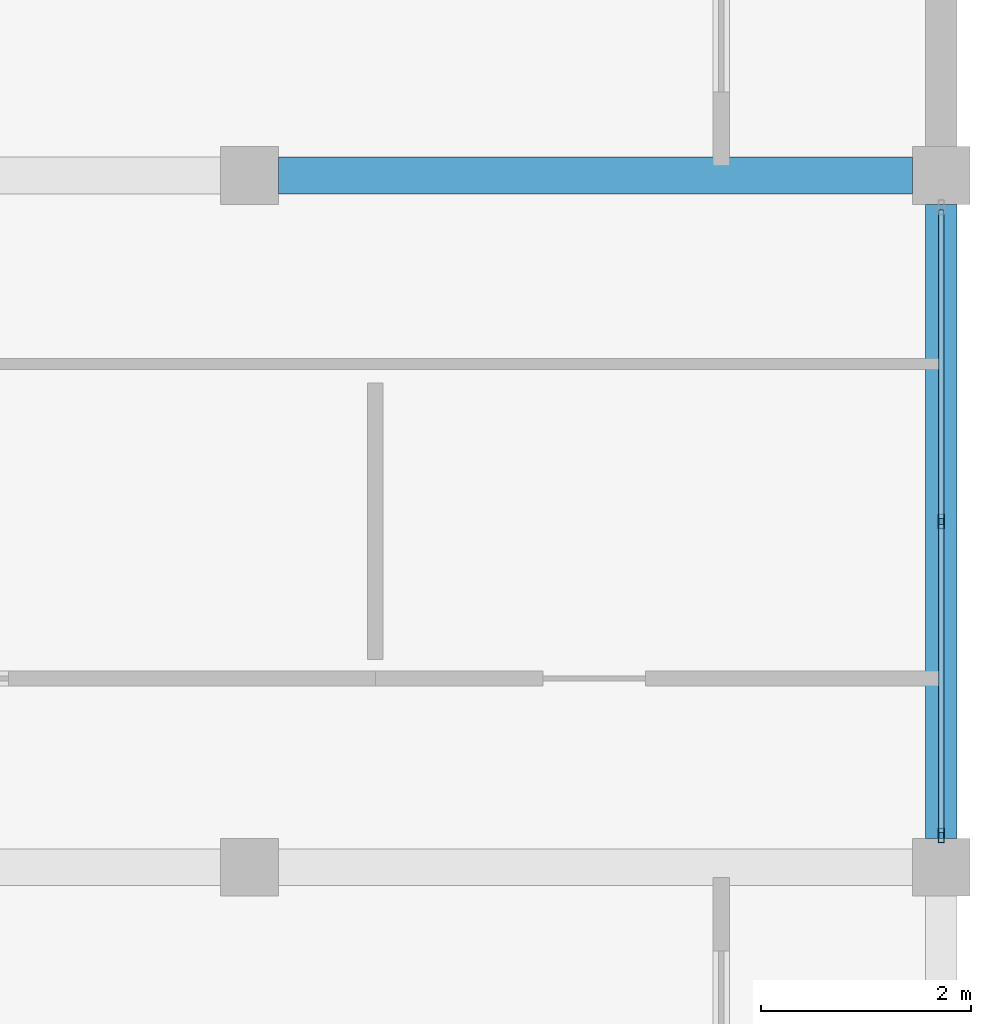
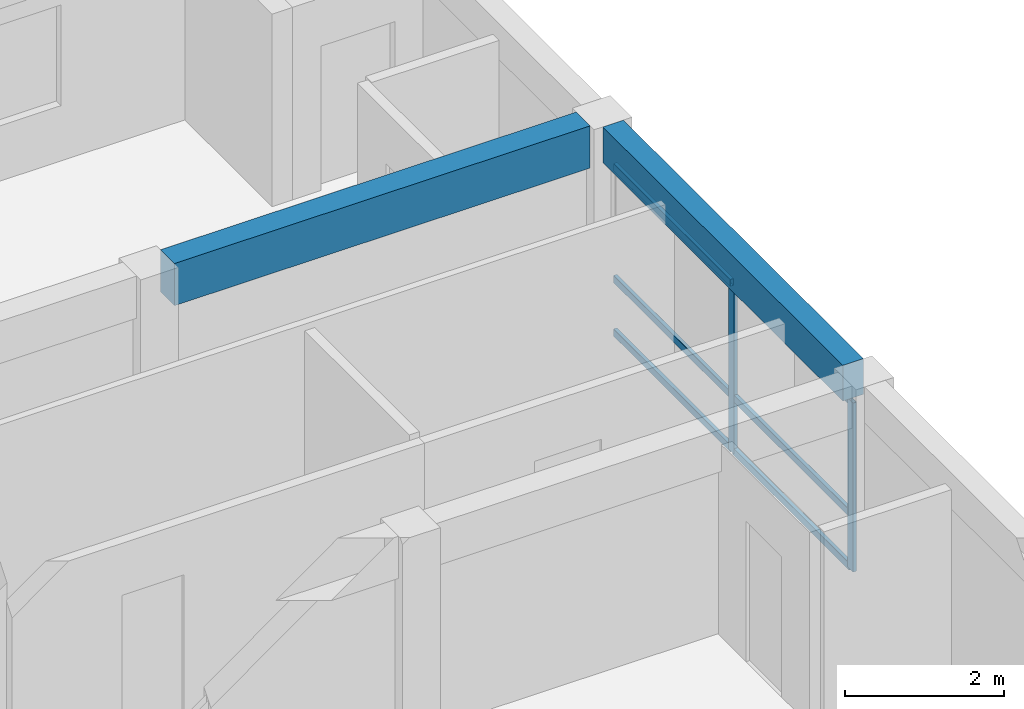
# One storey, part 22 of 51: 8 members, 2 beams, 1 element without a shape of its own.
"""IFC4 building model written with IfcOpenShell, lengths in metres."""

from ifc_helpers import new_model, si_unit, direction, frame, origin, origin_2d, place, context, subcontext, project, spatial, rectangle, hollow_rectangle, extrude, material, material_profile, profile_set, type_object, element, aggregate, save


model = new_model("IFC4")

# Units and contexts
model_context = context("Model", 3, precision=1e-05, world=origin(), true_north=direction((0.0, 1.0)))
body_context = subcontext(model_context, "Body", "Model", "MODEL_VIEW")
ifc_project = project(units=[si_unit("LENGTHUNIT", "METRE"), si_unit("AREAUNIT", "SQUARE_METRE"), si_unit("VOLUMEUNIT", "CUBIC_METRE"), si_unit("PLANEANGLEUNIT", "RADIAN"), si_unit("MASSUNIT", "GRAM", prefix="KILO")], contexts=[model_context])

# Site, building, storey
site_placement = place(None, origin())
site = spatial("IfcSite", under=ifc_project, at=site_placement, CompositionType="ELEMENT")
building_placement = place(site_placement, origin())
building = spatial("IfcBuilding", under=site, at=building_placement, Name="Kernevlak Ridge Housing Community", CompositionType="ELEMENT")
storey_placement = place(building_placement, frame((0.0, 0.0, 8.39990234375)))
storey = spatial("IfcBuildingStorey", under=building, at=storey_placement, Name="L02", CompositionType="ELEMENT", Elevation=8.39990234375)

# Beam
ifc_material_1 = material(Name="Concrete C35/45", Category="concrete")
ifc_material_profile_1 = material_profile(ifc_material_1, rectangle(XDim=0.35009765625, YDim=0.64990234375, at=origin_2d()), Name="RC 350x650")
ifc_profile_set_1 = profile_set([ifc_material_profile_1], Name="Concrete C35/45")
beam_type_1 = type_object("IfcBeamType", Name="B-02", PredefinedType="BEAM", material=ifc_profile_set_1)
beam_1_placement = place(storey_placement, frame((146.074951171875, 95.800048828125, 2.875), z_axis=(1.0, 0.0, 0.0), x_axis=(0.0, 1.0, 0.0)))
element("IfcBeam", 1, at=beam_1_placement, inside=storey, type_object=beam_type_1, Name="Beam B-02 L02 643", PredefinedType="BEAM", context=body_context, shape_type="SweptSolid", body=[
    extrude(rectangle(XDim=0.35009765625, YDim=0.64990234375, at=origin_2d()), origin(), (0.0, 0.0, 1.0), 6.050048828125),
])

# Curtain wall, members
ifc_material_2 = material(Name="Aluminium EN AW-6060 anodised and laminated glass", Category="aluminium")
curtain_wall_type = type_object("IfcCurtainWallType", Name="CW-14", PredefinedType="NOTDEFINED", material=ifc_material_2)
curtain_wall_placement = place(storey_placement, origin())
curtain_wall = element("IfcCurtainWall", 2, at=curtain_wall_placement, inside=storey, type_object=curtain_wall_type, Name="Curtain wall CW-14 CW-L02-063", PredefinedType="NOTDEFINED")
ifc_material_3 = material(Name="Aluminium EN AW-6060 anodised", Category="aluminium")
ifc_material_profile_2 = material_profile(ifc_material_3, hollow_rectangle(XDim=0.054931640625, YDim=0.139892578125, WallThickness=0.00390625, InnerFilletRadius=0.001953125, OuterFilletRadius=0.00390625, at=origin_2d()), Name="ALU 55x140x4")
ifc_profile_set_2 = profile_set([ifc_material_profile_2], Name="Aluminium EN AW-6060 anodised")
member_type_1 = type_object("IfcMemberType", Name="MU-01", PredefinedType="MULLION", material=ifc_profile_set_2)
member_1_placement = place(storey_placement, frame((152.39990234375, 89.50244140625, 0.0), z_axis=(0.0, 0.0, 1.0), x_axis=(-1.0, 0.0, 0.0)))
member_1 = element("IfcMember", 3, at=member_1_placement, type_object=member_type_1, Name="CW-14 mullion 1", PredefinedType="MULLION", context=body_context, shape_type="SweptSolid", body=[
    extrude(hollow_rectangle(XDim=0.054931640625, YDim=0.139892578125, WallThickness=0.00390625, InnerFilletRadius=0.001953125, OuterFilletRadius=0.00390625, at=origin_2d()), origin(), (0.0, 0.0, 1.0), 2.60009765625),
])
member_2_placement = place(storey_placement, frame((152.39990234375, 92.5, 0.0), z_axis=(0.0, 0.0, 1.0), x_axis=(-1.0, 0.0, 0.0)))
member_2 = element("IfcMember", 4, at=member_2_placement, type_object=member_type_1, Name="CW-14 mullion 2", PredefinedType="MULLION", context=body_context, shape_type="SweptSolid", body=[
    extrude(hollow_rectangle(XDim=0.054931640625, YDim=0.139892578125, WallThickness=0.00390625, InnerFilletRadius=0.001953125, OuterFilletRadius=0.00390625, at=origin_2d()), origin(), (0.0, 0.0, 1.0), 2.60009765625),
])

# Beam
ifc_material_profile_3 = material_profile(ifc_material_1, rectangle(XDim=0.300048828125, YDim=0.550048828125, at=origin_2d()), Name="RC 300x550")
ifc_profile_set_3 = profile_set([ifc_material_profile_3], Name="Concrete C35/45")
beam_type_2 = type_object("IfcBeamType", Name="SP-01", PredefinedType="SPANDREL", material=ifc_profile_set_3)
beam_2_placement = place(storey_placement, frame((152.39990234375, 89.47509765625, 2.925048828125), z_axis=(0.0, 1.0, 0.0), x_axis=(-1.0, 0.0, 0.0)))
element("IfcBeam", 5, at=beam_2_placement, inside=storey, type_object=beam_type_2, Name="Beam SP-01 L02 653", PredefinedType="SPANDREL", context=body_context, shape_type="SweptSolid", body=[
    extrude(rectangle(XDim=0.300048828125, YDim=0.550048828125, at=origin_2d()), origin(), (0.0, 0.0, 1.0), 6.0498046875),
])

# Member
ifc_material_profile_4 = material_profile(ifc_material_3, hollow_rectangle(XDim=0.054931640625, YDim=0.110107421875, WallThickness=0.00390625, InnerFilletRadius=0.001953125, OuterFilletRadius=0.00390625, at=origin_2d()), Name="ALU 55x110x4")
ifc_profile_set_4 = profile_set([ifc_material_profile_4], Name="Aluminium EN AW-6060 anodised")
member_type_2 = type_object("IfcMemberType", Name="TM-01", PredefinedType="USERDEFINED", material=ifc_profile_set_4)
member_3_placement = place(storey_placement, frame((152.39990234375, 89.530029296875, 0.027587890625), z_axis=(0.0, 1.0, 0.0), x_axis=(-1.0, 0.0, 0.0)))
member_3 = element("IfcMember", 6, at=member_3_placement, type_object=member_type_2, Name="CW-14 transom 1.1", ObjectType="TRANSOM", PredefinedType="USERDEFINED", context=body_context, shape_type="SweptSolid", body=[
    extrude(hollow_rectangle(XDim=0.054931640625, YDim=0.110107421875, WallThickness=0.00390625, InnerFilletRadius=0.001953125, OuterFilletRadius=0.00390625, at=origin_2d()), origin(), (0.0, 0.0, 1.0), 2.9423828125),
])

member_4_placement = place(storey_placement, frame((152.39990234375, 89.530029296875, 0.85009765625), z_axis=(0.0, 1.0, 0.0), x_axis=(-1.0, 0.0, 0.0)))
member_4 = element("IfcMember", 7, at=member_4_placement, type_object=member_type_2, Name="CW-14 transom 1.2", ObjectType="TRANSOM", PredefinedType="USERDEFINED", context=body_context, shape_type="SweptSolid", body=[
    extrude(hollow_rectangle(XDim=0.054931640625, YDim=0.110107421875, WallThickness=0.00390625, InnerFilletRadius=0.001953125, OuterFilletRadius=0.00390625, at=origin_2d()), origin(), (0.0, 0.0, 1.0), 2.9423828125),
])

member_5_placement = place(storey_placement, frame((152.39990234375, 89.530029296875, 2.572509765625), z_axis=(0.0, 1.0, 0.0), x_axis=(-1.0, 0.0, 0.0)))
member_5 = element("IfcMember", 8, at=member_5_placement, type_object=member_type_2, Name="CW-14 transom 1.3", ObjectType="TRANSOM", PredefinedType="USERDEFINED", context=body_context, shape_type="SweptSolid", body=[
    extrude(hollow_rectangle(XDim=0.054931640625, YDim=0.110107421875, WallThickness=0.00390625, InnerFilletRadius=0.001953125, OuterFilletRadius=0.00390625, at=origin_2d()), origin(), (0.0, 0.0, 1.0), 2.9423828125),
])

member_6_placement = place(storey_placement, frame((152.39990234375, 92.527587890625, 0.027587890625), z_axis=(0.0, 1.0, 0.0), x_axis=(-1.0, 0.0, 0.0)))
member_6 = element("IfcMember", 9, at=member_6_placement, type_object=member_type_2, Name="CW-14 transom 2.1", ObjectType="TRANSOM", PredefinedType="USERDEFINED", context=body_context, shape_type="SweptSolid", body=[
    extrude(hollow_rectangle(XDim=0.054931640625, YDim=0.110107421875, WallThickness=0.00390625, InnerFilletRadius=0.001953125, OuterFilletRadius=0.00390625, at=origin_2d()), origin(), (0.0, 0.0, 1.0), 2.9423828125),
])

member_7_placement = place(storey_placement, frame((152.39990234375, 92.527587890625, 0.85009765625), z_axis=(0.0, 1.0, 0.0), x_axis=(-1.0, 0.0, 0.0)))
member_7 = element("IfcMember", 10, at=member_7_placement, type_object=member_type_2, Name="CW-14 transom 2.2", ObjectType="TRANSOM", PredefinedType="USERDEFINED", context=body_context, shape_type="SweptSolid", body=[
    extrude(hollow_rectangle(XDim=0.054931640625, YDim=0.110107421875, WallThickness=0.00390625, InnerFilletRadius=0.001953125, OuterFilletRadius=0.00390625, at=origin_2d()), origin(), (0.0, 0.0, 1.0), 2.9423828125),
])

member_8_placement = place(storey_placement, frame((152.39990234375, 92.527587890625, 2.572509765625), z_axis=(0.0, 1.0, 0.0), x_axis=(-1.0, 0.0, 0.0)))
member_8 = element("IfcMember", 11, at=member_8_placement, type_object=member_type_2, Name="CW-14 transom 2.3", ObjectType="TRANSOM", PredefinedType="USERDEFINED", context=body_context, shape_type="SweptSolid", body=[
    extrude(hollow_rectangle(XDim=0.054931640625, YDim=0.110107421875, WallThickness=0.00390625, InnerFilletRadius=0.001953125, OuterFilletRadius=0.00390625, at=origin_2d()), origin(), (0.0, 0.0, 1.0), 2.9423828125),
])

aggregate(curtain_wall, [member_1, member_2, member_3, member_4, member_5, member_6, member_7, member_8])

save(model, "model.ifc")
